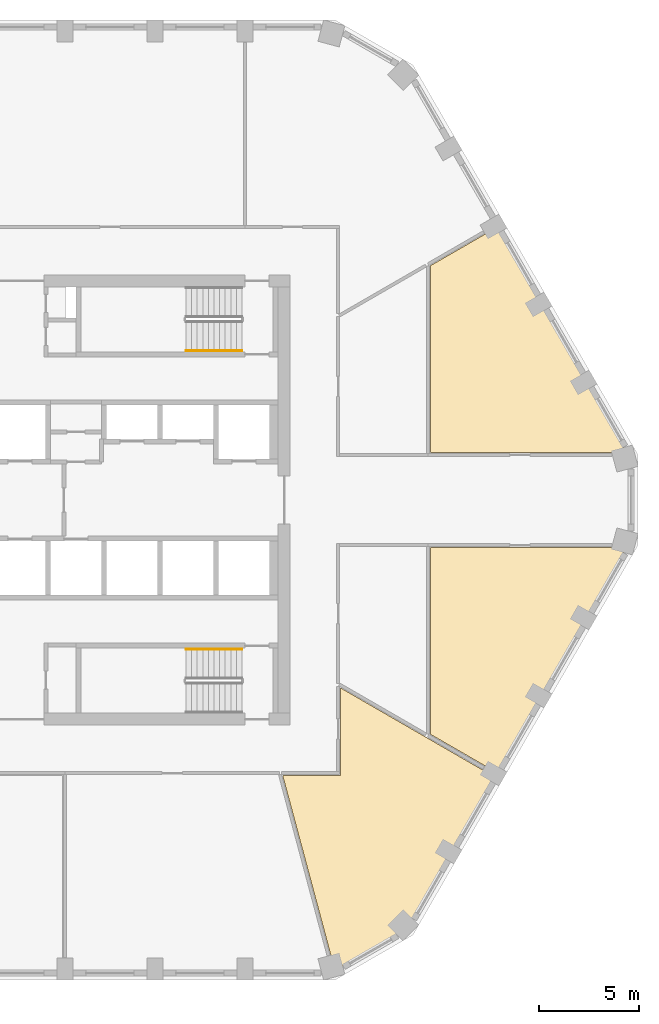
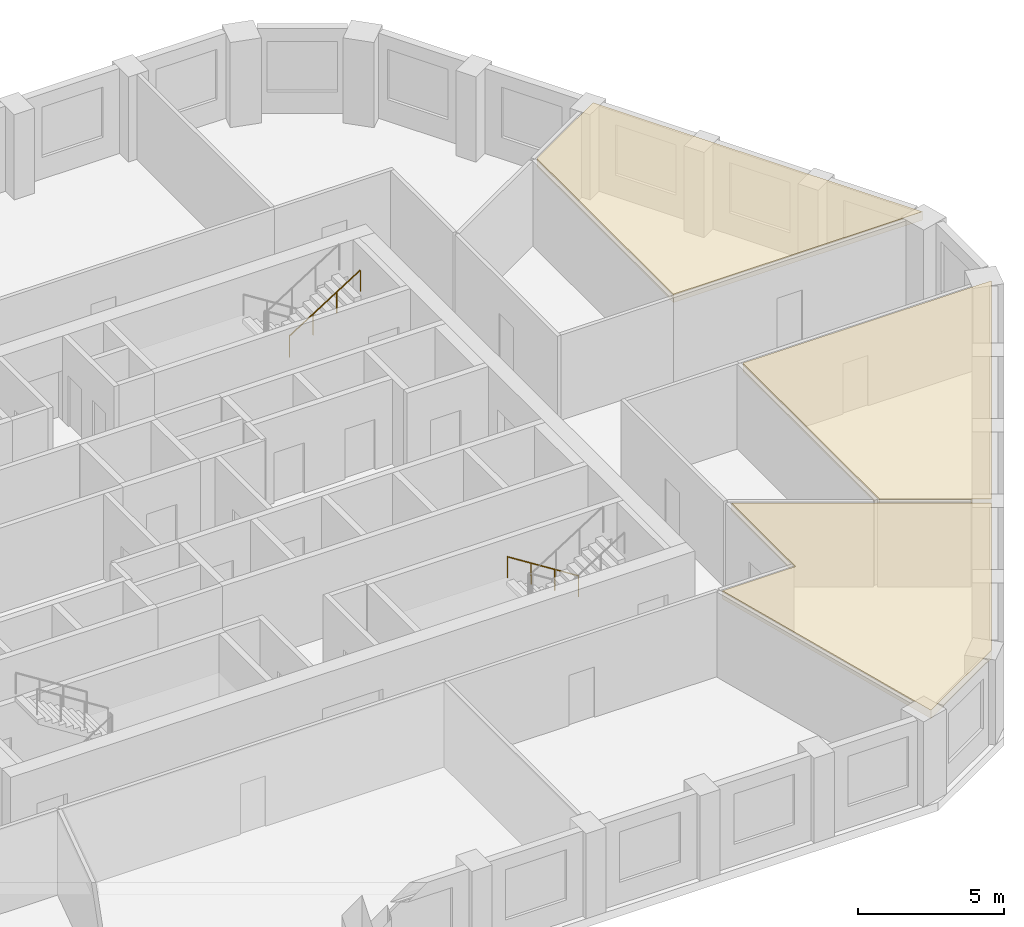
# One storey, part 10 of 11: 3 coverings, 2 railings.
"""IFC4 building model written with IfcOpenShell, lengths in metres."""

from ifc_helpers import new_model, si_unit, direction, frame, origin, origin_2d, place, context, subcontext, project, spatial, polyline, circle, outline, extrude, material, layer, layer_set, type_object, element, save


model = new_model("IFC4")

# Units and contexts
model_context = context("Model", 3, precision=1e-05, world=origin(), true_north=direction((0.0, 1.0)))
body_context = subcontext(model_context, "Body", "Model", "MODEL_VIEW")
ifc_project = project(units=[si_unit("LENGTHUNIT", "METRE"), si_unit("AREAUNIT", "SQUARE_METRE"), si_unit("VOLUMEUNIT", "CUBIC_METRE"), si_unit("PLANEANGLEUNIT", "RADIAN"), si_unit("MASSUNIT", "GRAM", prefix="KILO")], contexts=[model_context])

# Site, building, storey
site_placement = place(None, origin())
site = spatial("IfcSite", under=ifc_project, at=site_placement, CompositionType="ELEMENT")
building_placement = place(site_placement, origin())
building = spatial("IfcBuilding", under=site, at=building_placement, Name="Dhurran Vertical Campus", CompositionType="ELEMENT")
storey_placement = place(building_placement, frame((0.0, 0.0, 215.10009765625)))
storey = spatial("IfcBuildingStorey", under=building, at=storey_placement, Name="L53", CompositionType="ELEMENT", Elevation=215.10009765625)

# Railings
ifc_material_1 = material(Name="Stainless steel handrail", Category="steel")
railing_type = type_object("IfcRailingType", Name="co-RL-HANDRAIL-900", PredefinedType="HANDRAIL", material=ifc_material_1)
railing_1_placement = place(storey_placement, frame((8.300048828125, 7.449951171875, 2.127197265625)))
element("IfcRailing", 1, at=railing_1_placement, inside=storey, type_object=railing_type, Name="L53 ST2 stair handrail 2", PredefinedType="HANDRAIL", context=body_context, shape_type="SweptSolid", body=[
    extrude(circle(Radius=0.02392578125, at=origin_2d()), frame((0.0, 0.0, 0.8759765625), z_axis=(0.844908973607, 0.0, 0.534910110503), x_axis=(0.0, 1.0, 0.0)), (0.0, 0.0, 1.0), 3.31396484375),
    extrude(circle(Radius=0.02099609375, at=origin_2d()), origin(), (0.0, 0.0, 1.0), 0.851806640625),
    extrude(circle(Radius=0.02099609375, at=origin_2d()), frame((0.933349609375, 0.0, 0.5908203125)), (0.0, 0.0, 1.0), 0.851806640625),
    extrude(circle(Radius=0.02099609375, at=origin_2d()), frame((1.86669921875, 0.0, 1.181884765625)), (0.0, 0.0, 1.0), 0.851806640625),
    extrude(circle(Radius=0.02099609375, at=origin_2d()), frame((2.800048828125, 0.0, 1.772705078125)), (0.0, 0.0, 1.0), 0.851806640625),
])
railing_2_placement = place(storey_placement, frame((11.10009765625, -7.449951171875, 0.17724609375)))
element("IfcRailing", 2, at=railing_2_placement, inside=storey, type_object=railing_type, Name="L53 ST4 stair handrail 1", PredefinedType="HANDRAIL", context=body_context, shape_type="SweptSolid", body=[
    extrude(circle(Radius=0.02392578125, at=origin_2d()), frame((0.0, 0.0, 0.8759765625), z_axis=(-0.844908973607, 0.0, 0.534910110503), x_axis=(0.0, -1.0, 0.0)), (0.0, 0.0, 1.0), 3.31396484375),
    extrude(circle(Radius=0.02099609375, at=origin_2d()), origin(), (0.0, 0.0, 1.0), 0.851806640625),
    extrude(circle(Radius=0.02099609375, at=origin_2d()), frame((-0.933349609375, 0.0, 0.5908203125)), (0.0, 0.0, 1.0), 0.851806640625),
    extrude(circle(Radius=0.02099609375, at=origin_2d()), frame((-1.86669921875, 0.0, 1.181884765625)), (0.0, 0.0, 1.0), 0.851806640625),
    extrude(circle(Radius=0.02099609375, at=origin_2d()), frame((-2.800048828125, 0.0, 1.772705078125)), (0.0, 0.0, 1.0), 0.851806640625),
])

# Coverings
ifc_material_2 = material(Name="Mineral fibre ceiling tiles on suspended grid")
ifc_layer = layer(ifc_material_2, 0.35009765625)
ifc_layer_set = layer_set([ifc_layer], Name="Mineral fibre ceiling tiles on suspended grid")
covering_type = type_object("IfcCoveringType", Name="fl-CE-350 suspended ceiling", PredefinedType="CEILING", material=ifc_layer_set)
covering_1_placement = place(storey_placement, frame((0.0, 0.0, 3.199951171875)))
element("IfcCovering", 3, at=covering_1_placement, inside=storey, type_object=covering_type, Name="Ceiling 53-15", PredefinedType="CEILING", context=body_context, shape_type="SweptSolid", body=[
    extrude(outline(polyline([(23.722900390625, -13.8349609375), (19.339111328125, -21.427978515625), (15.7451171875, -23.50390625), (13.136962890625, -13.77001953125), (16.02001953125, -13.77001953125), (16.02001953125, -9.387939453125), (23.722900390625, -13.8349609375)])), origin(), (0.0, 0.0, 1.0), 0.349853515625),
])
covering_2_placement = place(storey_placement, frame((0.0, 0.0, 3.199951171875)))
element("IfcCovering", 4, at=covering_2_placement, inside=storey, type_object=covering_type, Name="Ceiling 53-18", PredefinedType="CEILING", context=body_context, shape_type="SweptSolid", body=[
    extrude(outline(polyline([(23.843017578125, -13.626953125), (20.52001953125, -11.708984375), (20.52001953125, -2.3701171875), (30.343017578125, -2.3701171875), (27.0458984375, -8.080078125), (23.843017578125, -13.626953125)])), origin(), (0.0, 0.0, 1.0), 0.349853515625),
])
covering_3_placement = place(storey_placement, frame((0.0, 0.0, 3.199951171875)))
element("IfcCovering", 5, at=covering_3_placement, inside=storey, type_object=covering_type, Name="Ceiling 53-19", PredefinedType="CEILING", context=body_context, shape_type="SweptSolid", body=[
    extrude(outline(polyline([(30.343017578125, 2.3701171875), (20.52001953125, 2.3701171875), (20.52001953125, 11.708984375), (23.843017578125, 13.626953125), (27.0458984375, 8.080078125), (30.343017578125, 2.3701171875)])), origin(), (0.0, 0.0, 1.0), 0.349853515625),
])

save(model, "model.ifc")
